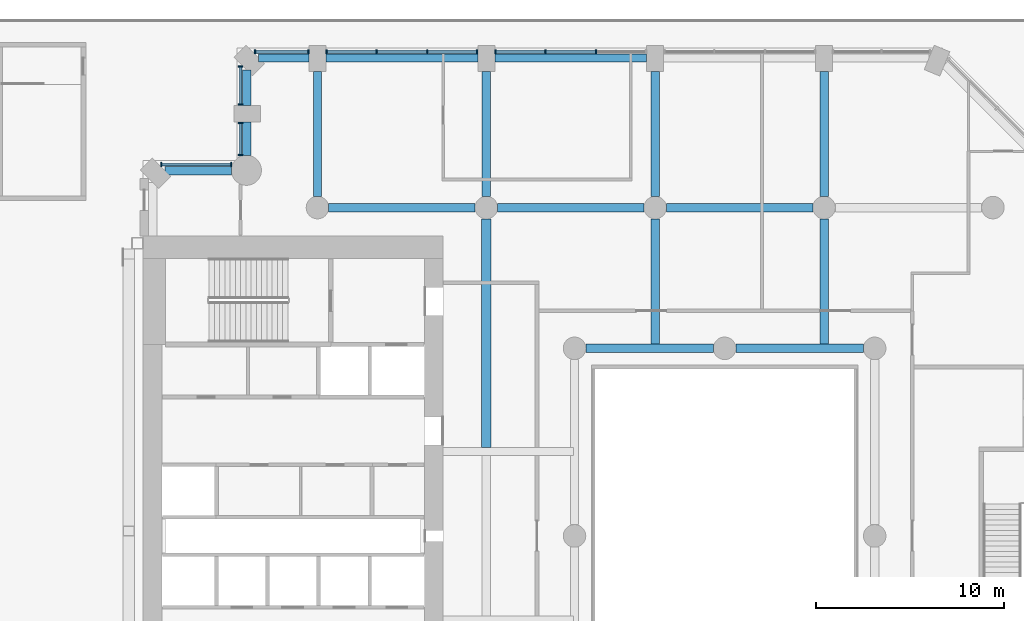
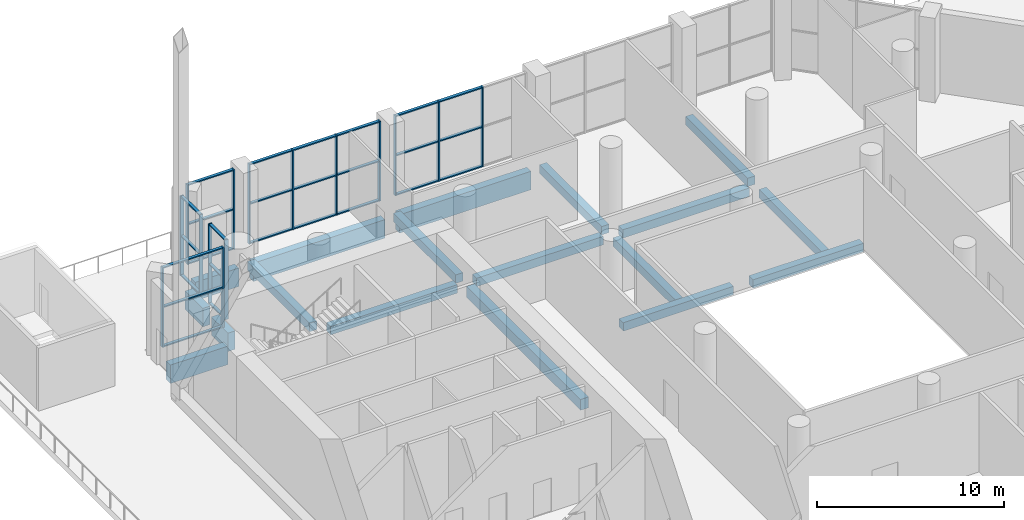
# One storey, part 9 of 26: 42 members, 18 beams, 6 elements without a shape of their own.
"""IFC4 building model written with IfcOpenShell, lengths in metres."""

import ifcopenshell
import ifcopenshell.guid

model = None  # the IFC model being written
_history = None  # IfcOwnerHistory: only IFC2X3 demands one
_inside = {}  # id of a spatial element -> (the spatial element, [elements in it])
_under = {}  # id of a project, library or spatial element -> (it, [spatial elements below it])
_declared = {}  # id of a project -> (the project, [libraries it declares])
_typed = {}  # id of a type object -> (the type object, [elements of that type])
_made_of = {}  # id of a material, layer set ... -> (it, [elements and type objects made of it])


def new_model(schema):
    """Start an empty IFC model of exactly this schema.

    Asked for "IFC4X3", IfcOpenShell would pick the latest addendum, in which some entities
    have other attributes; the version numbers below select the first issue.
    IFC2X3 requires an IfcOwnerHistory on every rooted entity: one is made here for all.
    """
    global model, _history
    if schema == "IFC4X3":
        model = ifcopenshell.file(schema_version=(4, 3, 0, 0))
    else:
        model = ifcopenshell.file(schema=schema)
    _inside.clear()
    _under.clear()
    _declared.clear()
    _typed.clear()
    _made_of.clear()
    _history = None
    if model.schema == "IFC2X3":
        org = make("IfcOrganization", Name="unknown")
        user = make(
            "IfcPersonAndOrganization",
            ThePerson=make("IfcPerson", FamilyName="unknown"),
            TheOrganization=org,
        )
        app = make(
            "IfcApplication",
            ApplicationDeveloper=org,
            Version="unknown",
            ApplicationFullName="unknown",
            ApplicationIdentifier="unknown",
        )
        _history = make(
            "IfcOwnerHistory",
            OwningUser=user,
            OwningApplication=app,
            ChangeAction="ADDED",
            CreationDate=0,
        )
    return model


def make(cls, **values):
    """One entity of the class cls with the attributes given. An attribute that is None is left unset."""
    return model.create_entity(
        cls, **{name: value for name, value in values.items() if value is not None}
    )


def rooted(cls, **values):
    """An entity with a GlobalId (a new one), such as an element, a storey or a relation."""
    return make(cls, GlobalId=ifcopenshell.guid.new(), OwnerHistory=_history, **values)


def si_unit(unit_type, name, prefix=None):
    """IfcSIUnit, for example si_unit("LENGTHUNIT", "METRE", prefix="MILLI")."""
    return make("IfcSIUnit", UnitType=unit_type, Prefix=prefix, Name=name)


def assignment(units):
    """IfcUnitAssignment: the units of a project."""
    return None if units is None else make("IfcUnitAssignment", Units=units)


def point(xyz):
    """IfcCartesianPoint."""
    return None if xyz is None else make("IfcCartesianPoint", Coordinates=xyz)


def direction(xyz):
    """IfcDirection."""
    return None if xyz is None else make("IfcDirection", DirectionRatios=xyz)


def frame(location, z_axis=None, x_axis=None):
    """IfcAxis2Placement3D, a coordinate frame: its origin and axes. An axis left out is left unset."""
    return make(
        "IfcAxis2Placement3D",
        Location=point(location),
        Axis=direction(z_axis),
        RefDirection=direction(x_axis),
    )


def frame_2d(location, x_axis=None):
    """IfcAxis2Placement2D, a coordinate frame in the plane: its origin and x axis."""
    return make(
        "IfcAxis2Placement2D", Location=point(location), RefDirection=direction(x_axis)
    )


def origin():
    """The frame at (0, 0, 0) with its axes left unset."""
    return frame((0.0, 0.0, 0.0))


def origin_2d():
    """The frame at (0, 0) in the plane with its x axis left unset."""
    return frame_2d((0.0, 0.0))


def place(relative_to, where):
    """IfcLocalPlacement: puts the frame where relative to a parent placement (None: the world)."""
    return make(
        "IfcLocalPlacement", PlacementRelTo=relative_to, RelativePlacement=where
    )


def context(
    kind, dimensions, precision=None, world=None, true_north=None, identifier=None
):
    """IfcGeometricRepresentationContext, for example the 3D "Model" context."""
    return make(
        "IfcGeometricRepresentationContext",
        ContextIdentifier=identifier,
        ContextType=kind,
        CoordinateSpaceDimension=dimensions,
        Precision=precision,
        WorldCoordinateSystem=world,
        TrueNorth=true_north,
    )


def subcontext(parent, identifier, kind, view, scale=None):
    """IfcGeometricRepresentationSubContext, for example "Body" below "Model"."""
    return make(
        "IfcGeometricRepresentationSubContext",
        ContextIdentifier=identifier,
        ContextType=kind,
        ParentContext=parent,
        TargetScale=scale,
        TargetView=view,
    )


def project(units=None, contexts=None):
    """IfcProject with its units and contexts."""
    return rooted(
        "IfcProject",
        Name="project",
        RepresentationContexts=contexts,
        UnitsInContext=assignment(units),
    )


def spatial(cls, under=None, at=None, **own):
    """A site, building, storey or space (cls), placed at a placement, below another one or the project."""
    s = rooted(cls, ObjectPlacement=at, **own)
    if under is not None:
        _under.setdefault(under.id(), (under, []))[1].append(s)
    return s


def profile(cls, at=None, kind="AREA", **sizes):
    """A parametric profile (cls). Its sizes go by their IFC names, for example OverallWidth=200.0."""
    return make(cls, ProfileType=kind, Position=at, **sizes)


def rectangle(**sizes):
    """IfcRectangleProfileDef."""
    return profile("IfcRectangleProfileDef", **sizes)


def extrude(swept, where, along, depth):
    """IfcExtrudedAreaSolid: the profile swept, set in the frame where, extruded along a direction by depth."""
    return make(
        "IfcExtrudedAreaSolid",
        SweptArea=swept,
        Position=where,
        ExtrudedDirection=direction(along),
        Depth=depth,
    )


def shape(context_of_items, identifier, shape_type, items):
    """IfcShapeRepresentation: the items that make up one representation, for example the "Body"."""
    return make(
        "IfcShapeRepresentation",
        ContextOfItems=context_of_items,
        RepresentationIdentifier=identifier,
        RepresentationType=shape_type,
        Items=items,
    )


def material(Name=None, Category=None):
    """IfcMaterial."""
    return make("IfcMaterial", Name=Name, Category=Category)


def material_profile(
    of_material, cross_section, Name=None, Category=None, Priority=None
):
    """IfcMaterialProfile: a cross section and its material."""
    return make(
        "IfcMaterialProfile",
        Name=Name,
        Material=of_material,
        Profile=cross_section,
        Priority=Priority,
        Category=Category,
    )


def profile_set(profiles, Name=None, composite=None):
    """IfcMaterialProfileSet."""
    return make(
        "IfcMaterialProfileSet",
        Name=Name,
        MaterialProfiles=profiles,
        CompositeProfile=composite,
    )


def made_of(thing, what):
    """Note that an element or type object is made of a material, layer set ...; save() writes the relation."""
    if what is not None:
        _made_of.setdefault(what.id(), (what, []))[1].append(thing)
    return thing


def type_object(cls, material=None, **own):
    """A type object (cls), such as IfcWallType, which elements share."""
    return made_of(rooted(cls, **own), material)


def element(
    cls,
    number,
    at=None,
    inside=None,
    cuts=None,
    type_object=None,
    material=None,
    context=None,
    identifier="Body",
    shape_type=None,
    held_by="IfcProductDefinitionShape",
    body=None,
    shapes=None,
    **own,
):
    """One element of the class cls, such as IfcWall. Its Tag is "e" and its number.

    at: its placement. inside: the storey or other place that contains it. cuts: it is an
    opening in that element (IfcRelVoidsElement). A single representation is given by context,
    identifier, shape_type and body (its items); several are given by shapes. held_by: the class
    of the entity that holds the representations. save() writes the other relations.
    """
    e = rooted(cls, Tag="e%d" % number, ObjectPlacement=at, **own)
    if body is not None:
        shapes = [shape(context, identifier, shape_type, body)]
    if shapes is not None:
        e.Representation = make(held_by, Representations=shapes)
    if inside is not None:
        _inside.setdefault(inside.id(), (inside, []))[1].append(e)
    if cuts is not None:
        rooted(
            "IfcRelVoidsElement", RelatingBuildingElement=cuts, RelatedOpeningElement=e
        )
    if type_object is not None:
        _typed.setdefault(type_object.id(), (type_object, []))[1].append(e)
    return made_of(e, material)


def aggregate(whole, parts):
    """IfcRelAggregates: a whole, such as a stair, and the parts it consists of."""
    return rooted("IfcRelAggregates", RelatingObject=whole, RelatedObjects=parts)


def save(model, path):
    """Write the relations noted so far, then the file.

    IfcRelAggregates (storeys below a building ...), IfcRelContainedInSpatialStructure (elements
    in a storey), IfcRelDefinesByType, IfcRelAssociatesMaterial and IfcRelDeclares: one each for
    every whole, place, type object, material and project.
    """
    for whole, parts in _under.values():
        aggregate(whole, parts)
    for where, things in _inside.values():
        rooted(
            "IfcRelContainedInSpatialStructure",
            RelatedElements=things,
            RelatingStructure=where,
        )
    for kind, things in _typed.values():
        rooted("IfcRelDefinesByType", RelatedObjects=things, RelatingType=kind)
    for what, things in _made_of.values():
        rooted("IfcRelAssociatesMaterial", RelatedObjects=things, RelatingMaterial=what)
    for by, libraries in _declared.values():
        rooted("IfcRelDeclares", RelatingContext=by, RelatedDefinitions=libraries)
    model.write(path)


model = new_model("IFC4")

# Units and contexts
model_context = context("Model", 3, precision=1e-05, world=origin(), true_north=direction((0.0, 1.0)))
body_context = subcontext(model_context, "Body", "Model", "MODEL_VIEW")
ifc_project = project(units=[si_unit("LENGTHUNIT", "METRE"), si_unit("AREAUNIT", "SQUARE_METRE"), si_unit("VOLUMEUNIT", "CUBIC_METRE"), si_unit("PLANEANGLEUNIT", "RADIAN"), si_unit("MASSUNIT", "GRAM", prefix="KILO")], contexts=[model_context])

# Site, building, storey
site_placement = place(None, origin())
site = spatial("IfcSite", under=ifc_project, at=site_placement, CompositionType="ELEMENT")
building_placement = place(site_placement, origin())
building = spatial("IfcBuilding", under=site, at=building_placement, Name="Cypress Arch Tower", CompositionType="ELEMENT")
storey_placement = place(building_placement, frame((0.0, 0.0, 50.0)))
storey = spatial("IfcBuildingStorey", under=building, at=storey_placement, Name="L06", CompositionType="ELEMENT", Elevation=50.0)

# Beams
ifc_material_1 = material(Name="Concrete C50/60", Category="concrete")
ifc_material_profile_1 = material_profile(ifc_material_1, rectangle(XDim=0.449951171875, YDim=0.550048828125, at=origin_2d()), Name="RC 450x550")
ifc_profile_set_1 = profile_set([ifc_material_profile_1], Name="Concrete C50/60")
beam_type_1 = type_object("IfcBeamType", Name="Floor beam RC 450x550 Concrete C50/60", PredefinedType="BEAM", material=ifc_profile_set_1)
for number, where, z_axis, x_axis, name in (
    (1, (-6.39990234375, 10.0, -0.574951171875), (1.0, 0.0, 0.0), (0.0, 1.0, 0.0), "Floor beam L06 RB007"),
    (2, (1.60009765625, 10.0, -0.574951171875), (1.0, 0.0, 0.0), (0.0, 1.0, 0.0), "Floor beam L06 RB008"),
):
    element("IfcBeam", number, at=place(storey_placement, frame(where, z_axis=z_axis, x_axis=x_axis)), inside=storey, type_object=beam_type_1, Name=name, PredefinedType="BEAM", context=body_context, shape_type="SweptSolid", body=[
        extrude(rectangle(XDim=0.449951171875, YDim=0.550048828125, at=origin_2d()), origin(), (0.0, 0.0, 1.0), 6.7998046875),
    ])
for number, where, z_axis, x_axis, name in (
    (3, (-20.10009765625, 17.5, -0.574951171875), (1.0, 0.0, 0.0), (0.0, 1.0, 0.0), "Floor beam L06 FB015"),
    (4, (-11.10009765625, 17.5, -0.574951171875), (1.0, 0.0, 0.0), (0.0, 1.0, 0.0), "Floor beam L06 FB016"),
    (5, (-2.10009765625, 17.5, -0.574951171875), (1.0, 0.0, 0.0), (0.0, 1.0, 0.0), "Floor beam L06 FB017"),
):
    element("IfcBeam", number, at=place(storey_placement, frame(where, z_axis=z_axis, x_axis=x_axis)), inside=storey, type_object=beam_type_1, Name=name, PredefinedType="BEAM", context=body_context, shape_type="SweptSolid", body=[
        extrude(rectangle(XDim=0.449951171875, YDim=0.550048828125, at=origin_2d()), origin(), (0.0, 0.0, 1.0), 7.800048828125),
    ])
for number, where, z_axis, x_axis, name in (
    (6, (-20.699951171875, 18.10009765625, -0.574951171875), (0.0, 1.0, 0.0), (-1.0, 0.0, 0.0), "Floor beam L06 FB020"),
    (7, (-11.699951171875, 18.10009765625, -0.574951171875), (0.0, 1.0, 0.0), (-1.0, 0.0, 0.0), "Floor beam L06 FB025"),
):
    element("IfcBeam", number, at=place(storey_placement, frame(where, z_axis=z_axis, x_axis=x_axis)), inside=storey, type_object=beam_type_1, Name=name, PredefinedType="BEAM", context=body_context, shape_type="SweptSolid", body=[
        extrude(rectangle(XDim=0.449951171875, YDim=0.550048828125, at=origin_2d()), origin(), (0.0, 0.0, 1.0), 6.64990234375),
    ])
beam_1_placement = place(storey_placement, frame((-2.699951171875, 10.22509765625, -0.574951171875), z_axis=(0.0, 1.0, 0.0), x_axis=(-1.0, 0.0, 0.0)))
element("IfcBeam", 8, at=beam_1_placement, inside=storey, type_object=beam_type_1, Name="Floor beam L06 FB028", PredefinedType="BEAM", context=body_context, shape_type="SweptSolid", body=[
    extrude(rectangle(XDim=0.449951171875, YDim=0.550048828125, at=origin_2d()), origin(), (0.0, 0.0, 1.0), 6.6748046875),
])
beam_2_placement = place(storey_placement, frame((-2.699951171875, 18.10009765625, -0.574951171875), z_axis=(0.0, 1.0, 0.0), x_axis=(-1.0, 0.0, 0.0)))
element("IfcBeam", 9, at=beam_2_placement, inside=storey, type_object=beam_type_1, Name="Floor beam L06 FB029", PredefinedType="BEAM", context=body_context, shape_type="SweptSolid", body=[
    extrude(rectangle(XDim=0.449951171875, YDim=0.550048828125, at=origin_2d()), origin(), (0.0, 0.0, 1.0), 6.64990234375),
])
beam_3_placement = place(storey_placement, frame((6.300048828125, 10.22509765625, -0.574951171875), z_axis=(0.0, 1.0, 0.0), x_axis=(-1.0, 0.0, 0.0)))
element("IfcBeam", 10, at=beam_3_placement, inside=storey, type_object=beam_type_1, Name="Floor beam L06 FB032", PredefinedType="BEAM", context=body_context, shape_type="SweptSolid", body=[
    extrude(rectangle(XDim=0.449951171875, YDim=0.550048828125, at=origin_2d()), origin(), (0.0, 0.0, 1.0), 6.6748046875),
])
beam_4_placement = place(storey_placement, frame((6.300048828125, 18.10009765625, -0.574951171875), z_axis=(0.0, 1.0, 0.0), x_axis=(-1.0, 0.0, 0.0)))
element("IfcBeam", 11, at=beam_4_placement, inside=storey, type_object=beam_type_1, Name="Floor beam L06 FB033", PredefinedType="BEAM", context=body_context, shape_type="SweptSolid", body=[
    extrude(rectangle(XDim=0.449951171875, YDim=0.550048828125, at=origin_2d()), origin(), (0.0, 0.0, 1.0), 6.64990234375),
])
ifc_material_2 = material(Name="Concrete C50/60", Category="concrete")
ifc_material_profile_2 = material_profile(ifc_material_2, rectangle(XDim=0.5, YDim=0.699951171875, at=origin_2d()), Name="RC 500x700")
ifc_profile_set_2 = profile_set([ifc_material_profile_2], Name="Concrete C50/60")
beam_type_2 = type_object("IfcBeamType", Name="Floor beam RC 500x700 Concrete C50/60", PredefinedType="BEAM", material=ifc_profile_set_2)
beam_5_placement = place(storey_placement, frame((-11.699951171875, 4.72509765625, -0.64990234375), z_axis=(0.0, 1.0, 0.0), x_axis=(-1.0, 0.0, 0.0)))
element("IfcBeam", 12, at=beam_5_placement, inside=storey, type_object=beam_type_2, Name="Floor beam L06 FB024", PredefinedType="BEAM", context=body_context, shape_type="SweptSolid", body=[
    extrude(rectangle(XDim=0.5, YDim=0.699951171875, at=origin_2d()), origin(), (0.0, 0.0, 1.0), 12.1748046875),
])

# Curtain wall, members
ifc_material_3 = material(Name="Anodised aluminium, bronze finish, solar control laminated double glazing", Category="aluminium")
curtain_wall_type = type_object("IfcCurtainWallType", Name="Curtain wall CW3 sky lobby glazing", PredefinedType="NOTDEFINED", material=ifc_material_3)
curtain_wall_1_placement = place(storey_placement, origin())
curtain_wall_1 = element("IfcCurtainWall", 13, at=curtain_wall_1_placement, inside=storey, type_object=curtain_wall_type, Name="Curtain wall L06 A08.2.1", PredefinedType="NOTDEFINED")
ifc_material_4 = material(Name="Anodised aluminium, bronze finish", Category="aluminium")
ifc_material_profile_3 = material_profile(ifc_material_4, rectangle(XDim=0.219970703125, YDim=0.074951171875, at=origin_2d()), Name="Mullion 75x220")
ifc_profile_set_3 = profile_set([ifc_material_profile_3], Name="Anodised aluminium, bronze finish")
member_type_1 = type_object("IfcMemberType", Name="Mullion CW3 75x220", PredefinedType="MULLION", material=ifc_profile_set_3)
member_1_placement = place(storey_placement, frame((-5.85009765625, 25.800048828125, 0.0), z_axis=(0.0, 0.0, 1.0), x_axis=(0.0, -1.0, 0.0)))
member_1 = element("IfcMember", 14, at=member_1_placement, type_object=member_type_1, Name="CW3 mullion 2", PredefinedType="MULLION", context=body_context, shape_type="SweptSolid", body=[
    extrude(rectangle(XDim=0.219970703125, YDim=0.074951171875, at=origin_2d()), origin(), (0.0, 0.0, 1.0), 5.199951171875),
])
member_2_placement = place(storey_placement, frame((-8.550048828125, 25.800048828125, 0.0), z_axis=(0.0, 0.0, 1.0), x_axis=(0.0, -1.0, 0.0)))
member_2 = element("IfcMember", 15, at=member_2_placement, type_object=member_type_1, Name="CW3 mullion 3", PredefinedType="MULLION", context=body_context, shape_type="SweptSolid", body=[
    extrude(rectangle(XDim=0.219970703125, YDim=0.074951171875, at=origin_2d()), origin(), (0.0, 0.0, 1.0), 5.199951171875),
])
member_3_placement = place(storey_placement, frame((-11.21240234375, 25.800048828125, 0.0), z_axis=(0.0, 0.0, 1.0), x_axis=(0.0, -1.0, 0.0)))
member_3 = element("IfcMember", 16, at=member_3_placement, type_object=member_type_1, Name="CW3 mullion 4", PredefinedType="MULLION", context=body_context, shape_type="SweptSolid", body=[
    extrude(rectangle(XDim=0.219970703125, YDim=0.074951171875, at=origin_2d()), origin(), (0.0, 0.0, 1.0), 5.199951171875),
])

curtain_wall_2_placement = place(storey_placement, origin())
curtain_wall_2 = element("IfcCurtainWall", 17, at=curtain_wall_2_placement, inside=storey, type_object=curtain_wall_type, Name="Curtain wall L06 A08.3.1", PredefinedType="NOTDEFINED")
member_4_placement = place(storey_placement, frame((-12.1875, 25.800048828125, 0.0), z_axis=(0.0, 0.0, 1.0), x_axis=(0.0, -1.0, 0.0)))
member_4 = element("IfcMember", 18, at=member_4_placement, type_object=member_type_1, Name="CW3 mullion 1", PredefinedType="MULLION", context=body_context, shape_type="SweptSolid", body=[
    extrude(rectangle(XDim=0.219970703125, YDim=0.074951171875, at=origin_2d()), origin(), (0.0, 0.0, 1.0), 5.199951171875),
])
member_5_placement = place(storey_placement, frame((-14.85009765625, 25.800048828125, 0.0), z_axis=(0.0, 0.0, 1.0), x_axis=(0.0, -1.0, 0.0)))
member_5 = element("IfcMember", 19, at=member_5_placement, type_object=member_type_1, Name="CW3 mullion 2", PredefinedType="MULLION", context=body_context, shape_type="SweptSolid", body=[
    extrude(rectangle(XDim=0.219970703125, YDim=0.074951171875, at=origin_2d()), origin(), (0.0, 0.0, 1.0), 5.199951171875),
])
member_6_placement = place(storey_placement, frame((-17.550048828125, 25.800048828125, 0.0), z_axis=(0.0, 0.0, 1.0), x_axis=(0.0, -1.0, 0.0)))
member_6 = element("IfcMember", 20, at=member_6_placement, type_object=member_type_1, Name="CW3 mullion 3", PredefinedType="MULLION", context=body_context, shape_type="SweptSolid", body=[
    extrude(rectangle(XDim=0.219970703125, YDim=0.074951171875, at=origin_2d()), origin(), (0.0, 0.0, 1.0), 5.199951171875),
])
member_7_placement = place(storey_placement, frame((-20.21240234375, 25.800048828125, 0.0), z_axis=(0.0, 0.0, 1.0), x_axis=(0.0, -1.0, 0.0)))
member_7 = element("IfcMember", 21, at=member_7_placement, type_object=member_type_1, Name="CW3 mullion 4", PredefinedType="MULLION", context=body_context, shape_type="SweptSolid", body=[
    extrude(rectangle(XDim=0.219970703125, YDim=0.074951171875, at=origin_2d()), origin(), (0.0, 0.0, 1.0), 5.199951171875),
])

curtain_wall_3_placement = place(storey_placement, origin())
curtain_wall_3 = element("IfcCurtainWall", 22, at=curtain_wall_3_placement, inside=storey, type_object=curtain_wall_type, Name="Curtain wall L06 A08.4.1", PredefinedType="NOTDEFINED")
member_8_placement = place(storey_placement, frame((-21.1875, 25.800048828125, 0.0), z_axis=(0.0, 0.0, 1.0), x_axis=(0.0, -1.0, 0.0)))
member_8 = element("IfcMember", 23, at=member_8_placement, type_object=member_type_1, Name="CW3 mullion 1", PredefinedType="MULLION", context=body_context, shape_type="SweptSolid", body=[
    extrude(rectangle(XDim=0.219970703125, YDim=0.074951171875, at=origin_2d()), origin(), (0.0, 0.0, 1.0), 5.199951171875),
])
member_9_placement = place(storey_placement, frame((-24.026123046875, 25.800048828125, 0.0), z_axis=(0.0, 0.0, 1.0), x_axis=(0.0, -1.0, 0.0)))
member_9 = element("IfcMember", 24, at=member_9_placement, type_object=member_type_1, Name="CW3 mullion 2", PredefinedType="MULLION", context=body_context, shape_type="SweptSolid", body=[
    extrude(rectangle(XDim=0.219970703125, YDim=0.074951171875, at=origin_2d()), origin(), (0.0, 0.0, 1.0), 5.199951171875),
])

curtain_wall_4_placement = place(storey_placement, origin())
curtain_wall_4 = element("IfcCurtainWall", 25, at=curtain_wall_4_placement, inside=storey, type_object=curtain_wall_type, Name="Curtain wall L06 A09.0.1", PredefinedType="NOTDEFINED")
member_10_placement = place(storey_placement, frame((-24.800048828125, 25.026123046875, 0.0), z_axis=(0.0, 0.0, 1.0), x_axis=(1.0, 0.0, 0.0)))
member_10 = element("IfcMember", 26, at=member_10_placement, type_object=member_type_1, Name="CW3 mullion 1", PredefinedType="MULLION", context=body_context, shape_type="SweptSolid", body=[
    extrude(rectangle(XDim=0.219970703125, YDim=0.074951171875, at=origin_2d()), origin(), (0.0, 0.0, 1.0), 5.199951171875),
])
member_11_placement = place(storey_placement, frame((-24.800048828125, 22.987548828125, 0.0), z_axis=(0.0, 0.0, 1.0), x_axis=(1.0, 0.0, 0.0)))
member_11 = element("IfcMember", 27, at=member_11_placement, type_object=member_type_1, Name="CW3 mullion 2", PredefinedType="MULLION", context=body_context, shape_type="SweptSolid", body=[
    extrude(rectangle(XDim=0.219970703125, YDim=0.074951171875, at=origin_2d()), origin(), (0.0, 0.0, 1.0), 5.199951171875),
])

curtain_wall_5_placement = place(storey_placement, origin())
curtain_wall_5 = element("IfcCurtainWall", 28, at=curtain_wall_5_placement, inside=storey, type_object=curtain_wall_type, Name="Curtain wall L06 A09.1.1", PredefinedType="NOTDEFINED")
member_12_placement = place(storey_placement, frame((-24.800048828125, 22.012451171875, 0.0), z_axis=(0.0, 0.0, 1.0), x_axis=(1.0, 0.0, 0.0)))
member_12 = element("IfcMember", 29, at=member_12_placement, type_object=member_type_1, Name="CW3 mullion 1", PredefinedType="MULLION", context=body_context, shape_type="SweptSolid", body=[
    extrude(rectangle(XDim=0.219970703125, YDim=0.074951171875, at=origin_2d()), origin(), (0.0, 0.0, 1.0), 5.199951171875),
])
member_13_placement = place(storey_placement, frame((-24.800048828125, 20.2958984375, 0.0), z_axis=(0.0, 0.0, 1.0), x_axis=(1.0, 0.0, 0.0)))
member_13 = element("IfcMember", 30, at=member_13_placement, type_object=member_type_1, Name="CW3 mullion 2", PredefinedType="MULLION", context=body_context, shape_type="SweptSolid", body=[
    extrude(rectangle(XDim=0.219970703125, YDim=0.074951171875, at=origin_2d()), origin(), (0.0, 0.0, 1.0), 5.199951171875),
])

curtain_wall_6_placement = place(storey_placement, origin())
curtain_wall_6 = element("IfcCurtainWall", 31, at=curtain_wall_6_placement, inside=storey, type_object=curtain_wall_type, Name="Curtain wall L06 A10.0.1", PredefinedType="NOTDEFINED")
member_14_placement = place(storey_placement, frame((-25.2958984375, 19.800048828125, 0.0), z_axis=(0.0, 0.0, 1.0), x_axis=(0.0, -1.0, 0.0)))
member_14 = element("IfcMember", 32, at=member_14_placement, type_object=member_type_1, Name="CW3 mullion 1", PredefinedType="MULLION", context=body_context, shape_type="SweptSolid", body=[
    extrude(rectangle(XDim=0.219970703125, YDim=0.074951171875, at=origin_2d()), origin(), (0.0, 0.0, 1.0), 5.199951171875),
])
member_15_placement = place(storey_placement, frame((-29.026123046875, 19.800048828125, 0.0), z_axis=(0.0, 0.0, 1.0), x_axis=(0.0, -1.0, 0.0)))
member_15 = element("IfcMember", 33, at=member_15_placement, type_object=member_type_1, Name="CW3 mullion 2", PredefinedType="MULLION", context=body_context, shape_type="SweptSolid", body=[
    extrude(rectangle(XDim=0.219970703125, YDim=0.074951171875, at=origin_2d()), origin(), (0.0, 0.0, 1.0), 5.199951171875),
])

# Beams
ifc_material_5 = material(Name="Concrete C50/60", Category="concrete")
ifc_material_profile_4 = material_profile(ifc_material_5, rectangle(XDim=0.449951171875, YDim=1.199951171875, at=origin_2d()), Name="RC 450x1200")
ifc_profile_set_4 = profile_set([ifc_material_profile_4], Name="Concrete C50/60")
beam_type_3 = type_object("IfcBeamType", Name="Spandrel beam RC 450x1200 Concrete C50/60", PredefinedType="SPANDREL", material=ifc_profile_set_4)
for number, where, z_axis, x_axis, name in (
    (34, (-3.14990234375, 25.47509765625, -1.550048828125), (-1.0, 0.0, 0.0), (0.0, -1.0, 0.0), "Spandrel beam L06 BA08-2"),
    (35, (-12.14990234375, 25.47509765625, -1.550048828125), (-1.0, 0.0, 0.0), (0.0, -1.0, 0.0), "Spandrel beam L06 BA08-3"),
):
    element("IfcBeam", number, at=place(storey_placement, frame(where, z_axis=z_axis, x_axis=x_axis)), inside=storey, type_object=beam_type_3, Name=name, PredefinedType="SPANDREL", context=body_context, shape_type="SweptSolid", body=[
        extrude(rectangle(XDim=0.449951171875, YDim=1.199951171875, at=origin_2d()), origin(), (0.0, 0.0, 1.0), 8.10009765625),
    ])
beam_6_placement = place(storey_placement, frame((-21.14990234375, 25.47509765625, -1.550048828125), z_axis=(-1.0, 0.0, 0.0), x_axis=(0.0, -1.0, 0.0)))
element("IfcBeam", 36, at=beam_6_placement, inside=storey, type_object=beam_type_3, Name="Spandrel beam L06 BA08-4", PredefinedType="SPANDREL", context=body_context, shape_type="SweptSolid", body=[
    extrude(rectangle(XDim=0.449951171875, YDim=1.199951171875, at=origin_2d()), origin(), (0.0, 0.0, 1.0), 2.688720703125),
])
beam_7_placement = place(storey_placement, frame((-24.47509765625, 24.838623046875, -1.550048828125), z_axis=(0.0, -1.0, 0.0), x_axis=(1.0, 0.0, 0.0)))
element("IfcBeam", 37, at=beam_7_placement, inside=storey, type_object=beam_type_3, Name="Spandrel beam L06 BA09-0", PredefinedType="SPANDREL", context=body_context, shape_type="SweptSolid", body=[
    extrude(rectangle(XDim=0.449951171875, YDim=1.199951171875, at=origin_2d()), origin(), (0.0, 0.0, 1.0), 1.888671875),
])
beam_8_placement = place(storey_placement, frame((-24.47509765625, 22.050048828125, -1.550048828125), z_axis=(0.0, -1.0, 0.0), x_axis=(1.0, 0.0, 0.0)))
element("IfcBeam", 38, at=beam_8_placement, inside=storey, type_object=beam_type_3, Name="Spandrel beam L06 BA09-1", PredefinedType="SPANDREL", context=body_context, shape_type="SweptSolid", body=[
    extrude(rectangle(XDim=0.449951171875, YDim=1.199951171875, at=origin_2d()), origin(), (0.0, 0.0, 1.0), 1.762451171875),
])
beam_9_placement = place(storey_placement, frame((-25.28759765625, 19.47509765625, -1.550048828125), z_axis=(-1.0, 0.0, 0.0), x_axis=(0.0, -1.0, 0.0)))
element("IfcBeam", 39, at=beam_9_placement, inside=storey, type_object=beam_type_3, Name="Spandrel beam L06 BA10-0", PredefinedType="SPANDREL", context=body_context, shape_type="SweptSolid", body=[
    extrude(rectangle(XDim=0.449951171875, YDim=1.199951171875, at=origin_2d()), origin(), (0.0, 0.0, 1.0), 3.551025390625),
])

# Member
ifc_material_6 = material(Name="Anodised aluminium, bronze finish", Category="aluminium")
ifc_material_profile_5 = material_profile(ifc_material_6, rectangle(XDim=0.179931640625, YDim=0.074951171875, at=origin_2d()), Name="Transom 75x180")
ifc_profile_set_5 = profile_set([ifc_material_profile_5], Name="Anodised aluminium, bronze finish")
member_type_2 = type_object("IfcMemberType", Name="Transom CW3 75x180", PredefinedType="USERDEFINED", material=ifc_profile_set_5)
member_16_placement = place(storey_placement, frame((-5.887451171875, 25.800048828125, 0.03759765625), z_axis=(-1.0, 0.0, 0.0), x_axis=(0.0, -1.0, 0.0)))
member_16 = element("IfcMember", 40, at=member_16_placement, type_object=member_type_2, Name="CW3 transom 2.1", ObjectType="TRANSOM", PredefinedType="USERDEFINED", context=body_context, shape_type="SweptSolid", body=[
    extrude(rectangle(XDim=0.179931640625, YDim=0.074951171875, at=origin_2d()), origin(), (0.0, 0.0, 1.0), 2.625),
])

member_17_placement = place(storey_placement, frame((-5.887451171875, 25.800048828125, 2.60009765625), z_axis=(-1.0, 0.0, 0.0), x_axis=(0.0, -1.0, 0.0)))
member_17 = element("IfcMember", 41, at=member_17_placement, type_object=member_type_2, Name="CW3 transom 2.2", ObjectType="TRANSOM", PredefinedType="USERDEFINED", context=body_context, shape_type="SweptSolid", body=[
    extrude(rectangle(XDim=0.179931640625, YDim=0.074951171875, at=origin_2d()), origin(), (0.0, 0.0, 1.0), 2.625),
])

member_18_placement = place(storey_placement, frame((-5.887451171875, 25.800048828125, 5.16259765625), z_axis=(-1.0, 0.0, 0.0), x_axis=(0.0, -1.0, 0.0)))
member_18 = element("IfcMember", 42, at=member_18_placement, type_object=member_type_2, Name="CW3 transom 2.3", ObjectType="TRANSOM", PredefinedType="USERDEFINED", context=body_context, shape_type="SweptSolid", body=[
    extrude(rectangle(XDim=0.179931640625, YDim=0.074951171875, at=origin_2d()), origin(), (0.0, 0.0, 1.0), 2.625),
])

member_19_placement = place(storey_placement, frame((-8.58740234375, 25.800048828125, 0.03759765625), z_axis=(-1.0, 0.0, 0.0), x_axis=(0.0, -1.0, 0.0)))
member_19 = element("IfcMember", 43, at=member_19_placement, type_object=member_type_2, Name="CW3 transom 3.1", ObjectType="TRANSOM", PredefinedType="USERDEFINED", context=body_context, shape_type="SweptSolid", body=[
    extrude(rectangle(XDim=0.179931640625, YDim=0.074951171875, at=origin_2d()), origin(), (0.0, 0.0, 1.0), 2.587646484375),
])

member_20_placement = place(storey_placement, frame((-8.58740234375, 25.800048828125, 2.60009765625), z_axis=(-1.0, 0.0, 0.0), x_axis=(0.0, -1.0, 0.0)))
member_20 = element("IfcMember", 44, at=member_20_placement, type_object=member_type_2, Name="CW3 transom 3.2", ObjectType="TRANSOM", PredefinedType="USERDEFINED", context=body_context, shape_type="SweptSolid", body=[
    extrude(rectangle(XDim=0.179931640625, YDim=0.074951171875, at=origin_2d()), origin(), (0.0, 0.0, 1.0), 2.587646484375),
])

member_21_placement = place(storey_placement, frame((-8.58740234375, 25.800048828125, 5.16259765625), z_axis=(-1.0, 0.0, 0.0), x_axis=(0.0, -1.0, 0.0)))
member_21 = element("IfcMember", 45, at=member_21_placement, type_object=member_type_2, Name="CW3 transom 3.3", ObjectType="TRANSOM", PredefinedType="USERDEFINED", context=body_context, shape_type="SweptSolid", body=[
    extrude(rectangle(XDim=0.179931640625, YDim=0.074951171875, at=origin_2d()), origin(), (0.0, 0.0, 1.0), 2.587646484375),
])

aggregate(curtain_wall_1, [member_1, member_2, member_3, member_16, member_17, member_18, member_19, member_20, member_21])

member_22_placement = place(storey_placement, frame((-12.22509765625, 25.800048828125, 0.03759765625), z_axis=(-1.0, 0.0, 0.0), x_axis=(0.0, -1.0, 0.0)))
member_22 = element("IfcMember", 46, at=member_22_placement, type_object=member_type_2, Name="CW3 transom 1.1", ObjectType="TRANSOM", PredefinedType="USERDEFINED", context=body_context, shape_type="SweptSolid", body=[
    extrude(rectangle(XDim=0.179931640625, YDim=0.074951171875, at=origin_2d()), origin(), (0.0, 0.0, 1.0), 2.58740234375),
])

member_23_placement = place(storey_placement, frame((-12.22509765625, 25.800048828125, 2.60009765625), z_axis=(-1.0, 0.0, 0.0), x_axis=(0.0, -1.0, 0.0)))
member_23 = element("IfcMember", 47, at=member_23_placement, type_object=member_type_2, Name="CW3 transom 1.2", ObjectType="TRANSOM", PredefinedType="USERDEFINED", context=body_context, shape_type="SweptSolid", body=[
    extrude(rectangle(XDim=0.179931640625, YDim=0.074951171875, at=origin_2d()), origin(), (0.0, 0.0, 1.0), 2.58740234375),
])

member_24_placement = place(storey_placement, frame((-12.22509765625, 25.800048828125, 5.16259765625), z_axis=(-1.0, 0.0, 0.0), x_axis=(0.0, -1.0, 0.0)))
member_24 = element("IfcMember", 48, at=member_24_placement, type_object=member_type_2, Name="CW3 transom 1.3", ObjectType="TRANSOM", PredefinedType="USERDEFINED", context=body_context, shape_type="SweptSolid", body=[
    extrude(rectangle(XDim=0.179931640625, YDim=0.074951171875, at=origin_2d()), origin(), (0.0, 0.0, 1.0), 2.58740234375),
])

member_25_placement = place(storey_placement, frame((-14.887451171875, 25.800048828125, 0.03759765625), z_axis=(-1.0, 0.0, 0.0), x_axis=(0.0, -1.0, 0.0)))
member_25 = element("IfcMember", 49, at=member_25_placement, type_object=member_type_2, Name="CW3 transom 2.1", ObjectType="TRANSOM", PredefinedType="USERDEFINED", context=body_context, shape_type="SweptSolid", body=[
    extrude(rectangle(XDim=0.179931640625, YDim=0.074951171875, at=origin_2d()), origin(), (0.0, 0.0, 1.0), 2.625),
])

member_26_placement = place(storey_placement, frame((-14.887451171875, 25.800048828125, 2.60009765625), z_axis=(-1.0, 0.0, 0.0), x_axis=(0.0, -1.0, 0.0)))
member_26 = element("IfcMember", 50, at=member_26_placement, type_object=member_type_2, Name="CW3 transom 2.2", ObjectType="TRANSOM", PredefinedType="USERDEFINED", context=body_context, shape_type="SweptSolid", body=[
    extrude(rectangle(XDim=0.179931640625, YDim=0.074951171875, at=origin_2d()), origin(), (0.0, 0.0, 1.0), 2.625),
])

member_27_placement = place(storey_placement, frame((-14.887451171875, 25.800048828125, 5.16259765625), z_axis=(-1.0, 0.0, 0.0), x_axis=(0.0, -1.0, 0.0)))
member_27 = element("IfcMember", 51, at=member_27_placement, type_object=member_type_2, Name="CW3 transom 2.3", ObjectType="TRANSOM", PredefinedType="USERDEFINED", context=body_context, shape_type="SweptSolid", body=[
    extrude(rectangle(XDim=0.179931640625, YDim=0.074951171875, at=origin_2d()), origin(), (0.0, 0.0, 1.0), 2.625),
])

member_28_placement = place(storey_placement, frame((-17.58740234375, 25.800048828125, 0.03759765625), z_axis=(-1.0, 0.0, 0.0), x_axis=(0.0, -1.0, 0.0)))
member_28 = element("IfcMember", 52, at=member_28_placement, type_object=member_type_2, Name="CW3 transom 3.1", ObjectType="TRANSOM", PredefinedType="USERDEFINED", context=body_context, shape_type="SweptSolid", body=[
    extrude(rectangle(XDim=0.179931640625, YDim=0.074951171875, at=origin_2d()), origin(), (0.0, 0.0, 1.0), 2.587646484375),
])

member_29_placement = place(storey_placement, frame((-17.58740234375, 25.800048828125, 2.60009765625), z_axis=(-1.0, 0.0, 0.0), x_axis=(0.0, -1.0, 0.0)))
member_29 = element("IfcMember", 53, at=member_29_placement, type_object=member_type_2, Name="CW3 transom 3.2", ObjectType="TRANSOM", PredefinedType="USERDEFINED", context=body_context, shape_type="SweptSolid", body=[
    extrude(rectangle(XDim=0.179931640625, YDim=0.074951171875, at=origin_2d()), origin(), (0.0, 0.0, 1.0), 2.587646484375),
])

member_30_placement = place(storey_placement, frame((-17.58740234375, 25.800048828125, 5.16259765625), z_axis=(-1.0, 0.0, 0.0), x_axis=(0.0, -1.0, 0.0)))
member_30 = element("IfcMember", 54, at=member_30_placement, type_object=member_type_2, Name="CW3 transom 3.3", ObjectType="TRANSOM", PredefinedType="USERDEFINED", context=body_context, shape_type="SweptSolid", body=[
    extrude(rectangle(XDim=0.179931640625, YDim=0.074951171875, at=origin_2d()), origin(), (0.0, 0.0, 1.0), 2.587646484375),
])

aggregate(curtain_wall_2, [member_4, member_5, member_6, member_7, member_22, member_23, member_24, member_25, member_26, member_27, member_28, member_29, member_30])

member_31_placement = place(storey_placement, frame((-21.22509765625, 25.800048828125, 0.03759765625), z_axis=(-1.0, 0.0, 0.0), x_axis=(0.0, -1.0, 0.0)))
member_31 = element("IfcMember", 55, at=member_31_placement, type_object=member_type_2, Name="CW3 transom 1.1", ObjectType="TRANSOM", PredefinedType="USERDEFINED", context=body_context, shape_type="SweptSolid", body=[
    extrude(rectangle(XDim=0.179931640625, YDim=0.074951171875, at=origin_2d()), origin(), (0.0, 0.0, 1.0), 2.763427734375),
])

member_32_placement = place(storey_placement, frame((-21.22509765625, 25.800048828125, 2.60009765625), z_axis=(-1.0, 0.0, 0.0), x_axis=(0.0, -1.0, 0.0)))
member_32 = element("IfcMember", 56, at=member_32_placement, type_object=member_type_2, Name="CW3 transom 1.2", ObjectType="TRANSOM", PredefinedType="USERDEFINED", context=body_context, shape_type="SweptSolid", body=[
    extrude(rectangle(XDim=0.179931640625, YDim=0.074951171875, at=origin_2d()), origin(), (0.0, 0.0, 1.0), 2.763427734375),
])

member_33_placement = place(storey_placement, frame((-21.22509765625, 25.800048828125, 5.16259765625), z_axis=(-1.0, 0.0, 0.0), x_axis=(0.0, -1.0, 0.0)))
member_33 = element("IfcMember", 57, at=member_33_placement, type_object=member_type_2, Name="CW3 transom 1.3", ObjectType="TRANSOM", PredefinedType="USERDEFINED", context=body_context, shape_type="SweptSolid", body=[
    extrude(rectangle(XDim=0.179931640625, YDim=0.074951171875, at=origin_2d()), origin(), (0.0, 0.0, 1.0), 2.763427734375),
])

aggregate(curtain_wall_3, [member_8, member_9, member_31, member_32, member_33])

member_34_placement = place(storey_placement, frame((-24.800048828125, 24.988525390625, 0.03759765625), z_axis=(0.0, -1.0, 0.0), x_axis=(1.0, 0.0, 0.0)))
member_34 = element("IfcMember", 58, at=member_34_placement, type_object=member_type_2, Name="CW3 transom 1.1", ObjectType="TRANSOM", PredefinedType="USERDEFINED", context=body_context, shape_type="SweptSolid", body=[
    extrude(rectangle(XDim=0.179931640625, YDim=0.074951171875, at=origin_2d()), origin(), (0.0, 0.0, 1.0), 1.963623046875),
])

member_35_placement = place(storey_placement, frame((-24.800048828125, 24.988525390625, 2.60009765625), z_axis=(0.0, -1.0, 0.0), x_axis=(1.0, 0.0, 0.0)))
member_35 = element("IfcMember", 59, at=member_35_placement, type_object=member_type_2, Name="CW3 transom 1.2", ObjectType="TRANSOM", PredefinedType="USERDEFINED", context=body_context, shape_type="SweptSolid", body=[
    extrude(rectangle(XDim=0.179931640625, YDim=0.074951171875, at=origin_2d()), origin(), (0.0, 0.0, 1.0), 1.963623046875),
])

member_36_placement = place(storey_placement, frame((-24.800048828125, 24.988525390625, 5.16259765625), z_axis=(0.0, -1.0, 0.0), x_axis=(1.0, 0.0, 0.0)))
member_36 = element("IfcMember", 60, at=member_36_placement, type_object=member_type_2, Name="CW3 transom 1.3", ObjectType="TRANSOM", PredefinedType="USERDEFINED", context=body_context, shape_type="SweptSolid", body=[
    extrude(rectangle(XDim=0.179931640625, YDim=0.074951171875, at=origin_2d()), origin(), (0.0, 0.0, 1.0), 1.963623046875),
])

aggregate(curtain_wall_4, [member_10, member_11, member_34, member_35, member_36])

member_37_placement = place(storey_placement, frame((-24.800048828125, 21.97509765625, 0.03759765625), z_axis=(0.0, -1.0, 0.0), x_axis=(1.0, 0.0, 0.0)))
member_37 = element("IfcMember", 61, at=member_37_placement, type_object=member_type_2, Name="CW3 transom 1.1", ObjectType="TRANSOM", PredefinedType="USERDEFINED", context=body_context, shape_type="SweptSolid", body=[
    extrude(rectangle(XDim=0.179931640625, YDim=0.074951171875, at=origin_2d()), origin(), (0.0, 0.0, 1.0), 1.6416015625),
])

member_38_placement = place(storey_placement, frame((-24.800048828125, 21.97509765625, 2.60009765625), z_axis=(0.0, -1.0, 0.0), x_axis=(1.0, 0.0, 0.0)))
member_38 = element("IfcMember", 62, at=member_38_placement, type_object=member_type_2, Name="CW3 transom 1.2", ObjectType="TRANSOM", PredefinedType="USERDEFINED", context=body_context, shape_type="SweptSolid", body=[
    extrude(rectangle(XDim=0.179931640625, YDim=0.074951171875, at=origin_2d()), origin(), (0.0, 0.0, 1.0), 1.6416015625),
])

member_39_placement = place(storey_placement, frame((-24.800048828125, 21.97509765625, 5.16259765625), z_axis=(0.0, -1.0, 0.0), x_axis=(1.0, 0.0, 0.0)))
member_39 = element("IfcMember", 63, at=member_39_placement, type_object=member_type_2, Name="CW3 transom 1.3", ObjectType="TRANSOM", PredefinedType="USERDEFINED", context=body_context, shape_type="SweptSolid", body=[
    extrude(rectangle(XDim=0.179931640625, YDim=0.074951171875, at=origin_2d()), origin(), (0.0, 0.0, 1.0), 1.6416015625),
])

aggregate(curtain_wall_5, [member_12, member_13, member_37, member_38, member_39])

member_40_placement = place(storey_placement, frame((-25.33349609375, 19.800048828125, 0.03759765625), z_axis=(-1.0, 0.0, 0.0), x_axis=(0.0, -1.0, 0.0)))
member_40 = element("IfcMember", 64, at=member_40_placement, type_object=member_type_2, Name="CW3 transom 1.1", ObjectType="TRANSOM", PredefinedType="USERDEFINED", context=body_context, shape_type="SweptSolid", body=[
    extrude(rectangle(XDim=0.179931640625, YDim=0.074951171875, at=origin_2d()), origin(), (0.0, 0.0, 1.0), 3.655029296875),
])

member_41_placement = place(storey_placement, frame((-25.33349609375, 19.800048828125, 2.60009765625), z_axis=(-1.0, 0.0, 0.0), x_axis=(0.0, -1.0, 0.0)))
member_41 = element("IfcMember", 65, at=member_41_placement, type_object=member_type_2, Name="CW3 transom 1.2", ObjectType="TRANSOM", PredefinedType="USERDEFINED", context=body_context, shape_type="SweptSolid", body=[
    extrude(rectangle(XDim=0.179931640625, YDim=0.074951171875, at=origin_2d()), origin(), (0.0, 0.0, 1.0), 3.655029296875),
])

member_42_placement = place(storey_placement, frame((-25.33349609375, 19.800048828125, 5.16259765625), z_axis=(-1.0, 0.0, 0.0), x_axis=(0.0, -1.0, 0.0)))
member_42 = element("IfcMember", 66, at=member_42_placement, type_object=member_type_2, Name="CW3 transom 1.3", ObjectType="TRANSOM", PredefinedType="USERDEFINED", context=body_context, shape_type="SweptSolid", body=[
    extrude(rectangle(XDim=0.179931640625, YDim=0.074951171875, at=origin_2d()), origin(), (0.0, 0.0, 1.0), 3.655029296875),
])

aggregate(curtain_wall_6, [member_14, member_15, member_40, member_41, member_42])

save(model, "model.ifc")
